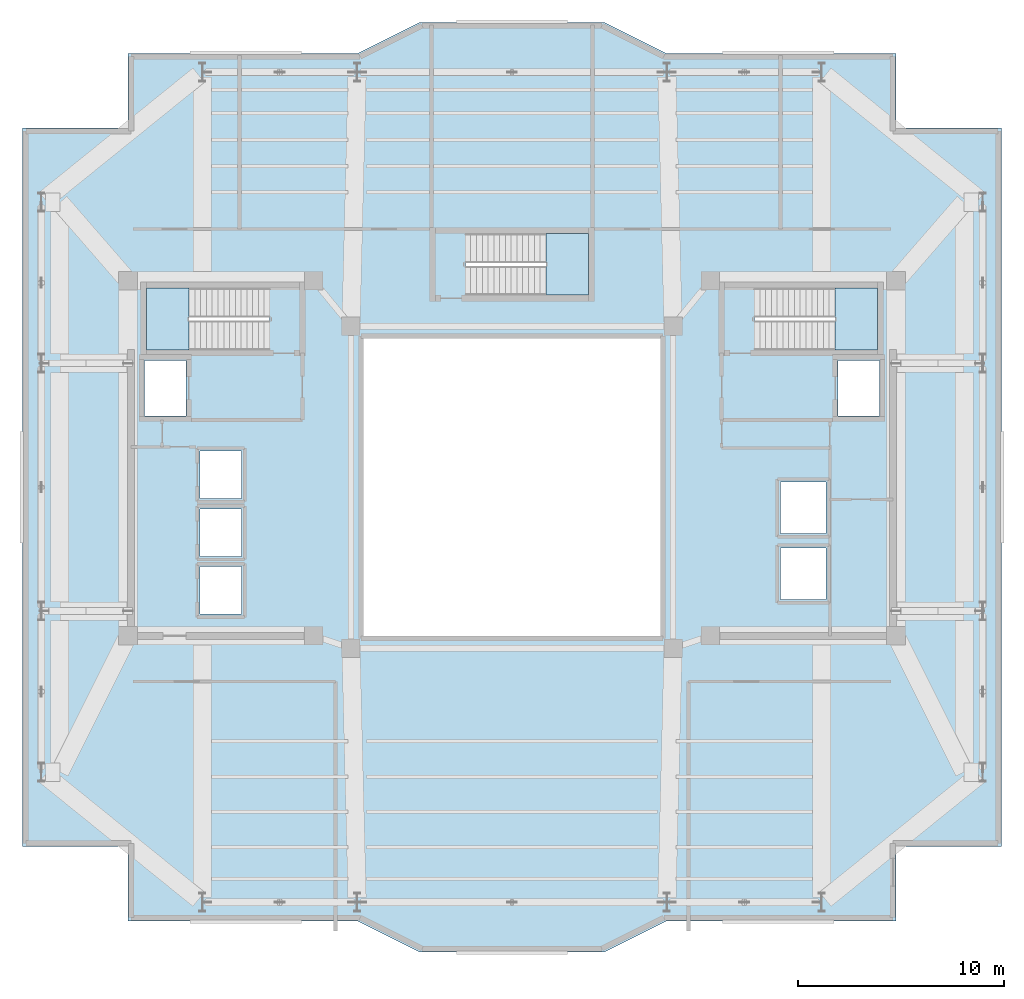
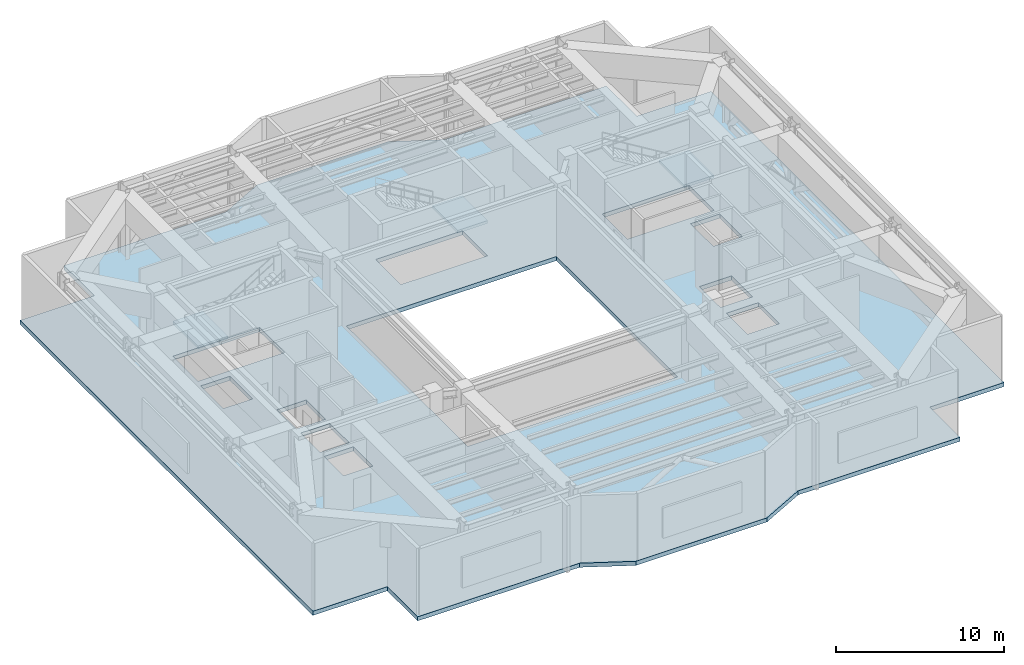
# One storey, part 3 of 13: 4 slabs, 3 elements without a shape of their own.
"""IFC4 building model written with IfcOpenShell, lengths in metres."""

from ifc_helpers import new_model, si_unit, direction, frame, origin, place, context, subcontext, project, spatial, polyline, outline, extrude, material, layer, layer_set, type_object, element, aggregate, save


model = new_model("IFC4")

# Units and contexts
model_context = context("Model", 3, precision=1e-05, world=origin(), true_north=direction((0.0, 1.0)))
body_context = subcontext(model_context, "Body", "Model", "MODEL_VIEW")
ifc_project = project(units=[si_unit("LENGTHUNIT", "METRE"), si_unit("AREAUNIT", "SQUARE_METRE"), si_unit("VOLUMEUNIT", "CUBIC_METRE"), si_unit("PLANEANGLEUNIT", "RADIAN"), si_unit("MASSUNIT", "GRAM", prefix="KILO")], contexts=[model_context])

# Site, building, storey
site_placement = place(None, origin())
site = spatial("IfcSite", under=ifc_project, at=site_placement, CompositionType="ELEMENT")
building_placement = place(site_placement, origin())
building = spatial("IfcBuilding", under=site, at=building_placement, Name="Tarnavaz Court Tower", CompositionType="ELEMENT")
storey_placement = place(building_placement, frame((0.0, 0.0, 236.39990234375)))
storey = spatial("IfcBuildingStorey", under=building, at=storey_placement, Name="L64", CompositionType="ELEMENT", Elevation=236.39990234375)

# Stair, slab
ifc_material = material(Name="Concrete C40/50", Category="concrete")
stair_type = type_object("IfcStairType", Name="ST-TWR-30R", PredefinedType="HALF_TURN_STAIR", material=ifc_material)
stair_1_placement = place(storey_placement, origin())
stair_1 = element("IfcStair", 1, at=stair_1_placement, inside=storey, type_object=stair_type, Name="L64 West Core Pressurized Exit Stair ST-W1", PredefinedType="HALF_TURN_STAIR")
ifc_layer_1 = layer(ifc_material, 0.199951171875)
ifc_layer_set_1 = layer_set([ifc_layer_1], Name="Concrete C40/50")
slab_type_1 = type_object("IfcSlabType", Name="SL-LAND-200", PredefinedType="LANDING", material=ifc_layer_set_1)
slab_1_placement = place(storey_placement, frame((0.0, 0.0, 2.35009765625)))
slab_1 = element("IfcSlab", 2, at=slab_1_placement, type_object=slab_type_1, Name="ST-W1 landing 1", PredefinedType="LANDING", context=body_context, shape_type="SweptSolid", body=[
    extrude(outline(polyline([(-15.639892578125, 9.639892578125), (-17.699951171875, 9.639892578125), (-17.699951171875, 6.64990234375), (-15.639892578125, 6.64990234375), (-15.639892578125, 9.639892578125)])), origin(), (0.0, 0.0, 1.0), 0.199951171875),
])
aggregate(stair_1, [slab_1])

stair_2_placement = place(storey_placement, origin())
stair_2 = element("IfcStair", 3, at=stair_2_placement, inside=storey, type_object=stair_type, Name="L64 East Core Pressurized Exit Stair ST-E1", PredefinedType="HALF_TURN_STAIR")
slab_2_placement = place(storey_placement, frame((0.0, 0.0, 2.35009765625)))
slab_2 = element("IfcSlab", 4, at=slab_2_placement, type_object=slab_type_1, Name="ST-E1 landing 1", PredefinedType="LANDING", context=body_context, shape_type="SweptSolid", body=[
    extrude(outline(polyline([(15.639892578125, 6.64990234375), (17.699951171875, 6.64990234375), (17.699951171875, 9.639892578125), (15.639892578125, 9.639892578125), (15.639892578125, 6.64990234375)])), origin(), (0.0, 0.0, 1.0), 0.199951171875),
])
aggregate(stair_2, [slab_2])

stair_3_placement = place(storey_placement, origin())
stair_3 = element("IfcStair", 5, at=stair_3_placement, inside=storey, type_object=stair_type, Name="L64 North Ring Pressurized Exit Stair ST-N1", PredefinedType="HALF_TURN_STAIR")
slab_3_placement = place(storey_placement, frame((0.0, 0.0, 2.35009765625)))
slab_3 = element("IfcSlab", 6, at=slab_3_placement, type_object=slab_type_1, Name="ST-N1 landing 1", PredefinedType="LANDING", context=body_context, shape_type="SweptSolid", body=[
    extrude(outline(polyline([(1.639892578125, 9.300048828125), (3.699951171875, 9.300048828125), (3.699951171875, 12.2900390625), (1.639892578125, 12.2900390625), (1.639892578125, 9.300048828125)])), origin(), (0.0, 0.0, 1.0), 0.199951171875),
])
aggregate(stair_3, [slab_3])

# Slab
ifc_layer_2 = layer(ifc_material, 0.300048828125)
ifc_layer_set_2 = layer_set([ifc_layer_2], Name="Concrete C40/50")
slab_type_2 = type_object("IfcSlabType", Name="SL-POD-300", PredefinedType="FLOOR", material=ifc_layer_set_2)
slab_4_placement = place(storey_placement, frame((0.0, 0.0, -0.2998046875)))
element("IfcSlab", 7, at=slab_4_placement, inside=storey, type_object=slab_type_2, Name="L64 Structural Floor Slab", PredefinedType="FLOOR", context=body_context, shape_type="SweptSolid", body=[
    extrude(outline(polyline([(-18.60009765625, -21.0), (-7.5, -21.0), (-4.5, -22.5), (4.5, -22.5), (7.5, -21.0), (18.60009765625, -21.0), (18.60009765625, -17.39990234375), (23.699951171875, -17.39990234375), (23.699951171875, 17.39990234375), (18.60009765625, 17.39990234375), (18.60009765625, 21.0), (7.5, 21.0), (4.5, 22.5), (-4.5, 22.5), (-7.5, 21.0), (-18.60009765625, 21.0), (-18.60009765625, 17.39990234375), (-23.699951171875, 17.39990234375), (-23.699951171875, -17.39990234375), (-18.60009765625, -17.39990234375), (-18.60009765625, -21.0)]), holes=[polyline([(-7.199951171875, -7.199951171875), (7.199951171875, -7.199951171875), (7.199951171875, 7.199951171875), (-7.199951171875, 7.199951171875), (-7.199951171875, -7.199951171875)]), polyline([(-11.7451171875, 9.639892578125), (-17.699951171875, 9.639892578125), (-17.699951171875, 6.64990234375), (-11.7451171875, 6.64990234375), (-11.7451171875, 9.639892578125)]), polyline([(11.7451171875, 6.64990234375), (17.699951171875, 6.64990234375), (17.699951171875, 9.639892578125), (11.7451171875, 9.639892578125), (11.7451171875, 6.64990234375)]), polyline([(-2.2548828125, 9.300048828125), (3.699951171875, 9.300048828125), (3.699951171875, 12.2900390625), (-2.2548828125, 12.2900390625), (-2.2548828125, 9.300048828125)]), polyline([(-17.800048828125, 3.449951171875), (-15.800048828125, 3.449951171875), (-15.800048828125, 6.14990234375), (-17.800048828125, 6.14990234375), (-17.800048828125, 3.449951171875)]), polyline([(-15.10009765625, -6.14990234375), (-13.10009765625, -6.14990234375), (-13.10009765625, -3.85009765625), (-15.10009765625, -3.85009765625), (-15.10009765625, -6.14990234375)]), polyline([(-15.10009765625, -3.35009765625), (-13.10009765625, -3.35009765625), (-13.10009765625, -1.050048828125), (-15.10009765625, -1.050048828125), (-15.10009765625, -3.35009765625)]), polyline([(-15.10009765625, -0.550048828125), (-13.10009765625, -0.550048828125), (-13.10009765625, 1.75), (-15.10009765625, 1.75), (-15.10009765625, -0.550048828125)]), polyline([(15.800048828125, 3.449951171875), (17.800048828125, 3.449951171875), (17.800048828125, 6.14990234375), (15.800048828125, 6.14990234375), (15.800048828125, 3.449951171875)]), polyline([(13.0, -5.449951171875), (15.199951171875, -5.449951171875), (15.199951171875, -2.949951171875), (13.0, -2.949951171875), (13.0, -5.449951171875)]), polyline([(13.0, -2.25), (15.199951171875, -2.25), (15.199951171875, 0.25), (13.0, 0.25), (13.0, -2.25)])]), origin(), (0.0, 0.0, 1.0), 0.2998046875),
])

save(model, "model.ifc")
